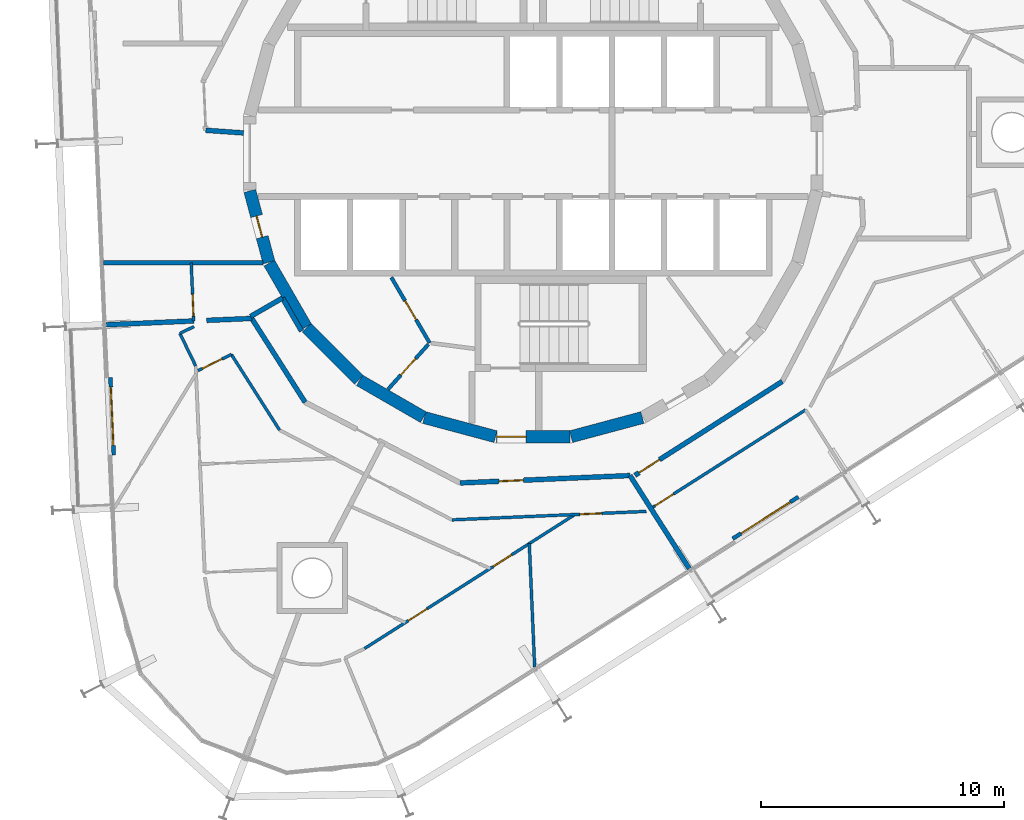
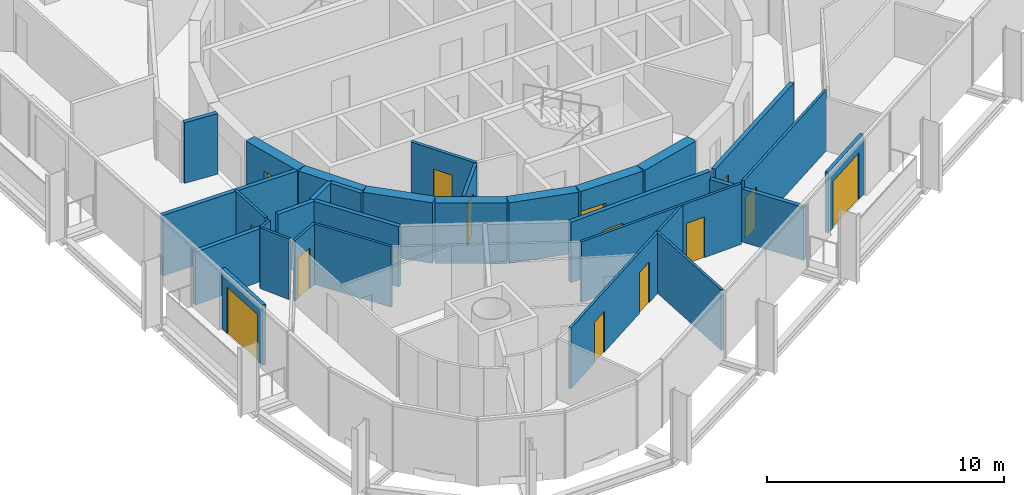
# One storey, part 12 of 18: 30 walls, 14 doors, 14 openings.
"""IFC4 building model written with IfcOpenShell, lengths in metres."""

import ifcopenshell
import ifcopenshell.guid

model = None  # the IFC model being written
_history = None  # IfcOwnerHistory: only IFC2X3 demands one
_inside = {}  # id of a spatial element -> (the spatial element, [elements in it])
_under = {}  # id of a project, library or spatial element -> (it, [spatial elements below it])
_declared = {}  # id of a project -> (the project, [libraries it declares])
_typed = {}  # id of a type object -> (the type object, [elements of that type])
_made_of = {}  # id of a material, layer set ... -> (it, [elements and type objects made of it])


def new_model(schema):
    """Start an empty IFC model of exactly this schema.

    Asked for "IFC4X3", IfcOpenShell would pick the latest addendum, in which some entities
    have other attributes; the version numbers below select the first issue.
    IFC2X3 requires an IfcOwnerHistory on every rooted entity: one is made here for all.
    """
    global model, _history
    if schema == "IFC4X3":
        model = ifcopenshell.file(schema_version=(4, 3, 0, 0))
    else:
        model = ifcopenshell.file(schema=schema)
    _inside.clear()
    _under.clear()
    _declared.clear()
    _typed.clear()
    _made_of.clear()
    _history = None
    if model.schema == "IFC2X3":
        org = make("IfcOrganization", Name="unknown")
        user = make(
            "IfcPersonAndOrganization",
            ThePerson=make("IfcPerson", FamilyName="unknown"),
            TheOrganization=org,
        )
        app = make(
            "IfcApplication",
            ApplicationDeveloper=org,
            Version="unknown",
            ApplicationFullName="unknown",
            ApplicationIdentifier="unknown",
        )
        _history = make(
            "IfcOwnerHistory",
            OwningUser=user,
            OwningApplication=app,
            ChangeAction="ADDED",
            CreationDate=0,
        )
    return model


def make(cls, **values):
    """One entity of the class cls with the attributes given. An attribute that is None is left unset."""
    return model.create_entity(
        cls, **{name: value for name, value in values.items() if value is not None}
    )


def rooted(cls, **values):
    """An entity with a GlobalId (a new one), such as an element, a storey or a relation."""
    return make(cls, GlobalId=ifcopenshell.guid.new(), OwnerHistory=_history, **values)


def si_unit(unit_type, name, prefix=None):
    """IfcSIUnit, for example si_unit("LENGTHUNIT", "METRE", prefix="MILLI")."""
    return make("IfcSIUnit", UnitType=unit_type, Prefix=prefix, Name=name)


def assignment(units):
    """IfcUnitAssignment: the units of a project."""
    return None if units is None else make("IfcUnitAssignment", Units=units)


def point(xyz):
    """IfcCartesianPoint."""
    return None if xyz is None else make("IfcCartesianPoint", Coordinates=xyz)


def direction(xyz):
    """IfcDirection."""
    return None if xyz is None else make("IfcDirection", DirectionRatios=xyz)


def frame(location, z_axis=None, x_axis=None):
    """IfcAxis2Placement3D, a coordinate frame: its origin and axes. An axis left out is left unset."""
    return make(
        "IfcAxis2Placement3D",
        Location=point(location),
        Axis=direction(z_axis),
        RefDirection=direction(x_axis),
    )


def frame_2d(location, x_axis=None):
    """IfcAxis2Placement2D, a coordinate frame in the plane: its origin and x axis."""
    return make(
        "IfcAxis2Placement2D", Location=point(location), RefDirection=direction(x_axis)
    )


def origin():
    """The frame at (0, 0, 0) with its axes left unset."""
    return frame((0.0, 0.0, 0.0))


def place(relative_to, where):
    """IfcLocalPlacement: puts the frame where relative to a parent placement (None: the world)."""
    return make(
        "IfcLocalPlacement", PlacementRelTo=relative_to, RelativePlacement=where
    )


def context(
    kind, dimensions, precision=None, world=None, true_north=None, identifier=None
):
    """IfcGeometricRepresentationContext, for example the 3D "Model" context."""
    return make(
        "IfcGeometricRepresentationContext",
        ContextIdentifier=identifier,
        ContextType=kind,
        CoordinateSpaceDimension=dimensions,
        Precision=precision,
        WorldCoordinateSystem=world,
        TrueNorth=true_north,
    )


def subcontext(parent, identifier, kind, view, scale=None):
    """IfcGeometricRepresentationSubContext, for example "Body" below "Model"."""
    return make(
        "IfcGeometricRepresentationSubContext",
        ContextIdentifier=identifier,
        ContextType=kind,
        ParentContext=parent,
        TargetScale=scale,
        TargetView=view,
    )


def project(units=None, contexts=None):
    """IfcProject with its units and contexts."""
    return rooted(
        "IfcProject",
        Name="project",
        RepresentationContexts=contexts,
        UnitsInContext=assignment(units),
    )


def spatial(cls, under=None, at=None, **own):
    """A site, building, storey or space (cls), placed at a placement, below another one or the project."""
    s = rooted(cls, ObjectPlacement=at, **own)
    if under is not None:
        _under.setdefault(under.id(), (under, []))[1].append(s)
    return s


def profile(cls, at=None, kind="AREA", **sizes):
    """A parametric profile (cls). Its sizes go by their IFC names, for example OverallWidth=200.0."""
    return make(cls, ProfileType=kind, Position=at, **sizes)


def rectangle(**sizes):
    """IfcRectangleProfileDef."""
    return profile("IfcRectangleProfileDef", **sizes)


def extrude(swept, where, along, depth):
    """IfcExtrudedAreaSolid: the profile swept, set in the frame where, extruded along a direction by depth."""
    return make(
        "IfcExtrudedAreaSolid",
        SweptArea=swept,
        Position=where,
        ExtrudedDirection=direction(along),
        Depth=depth,
    )


def shape(context_of_items, identifier, shape_type, items):
    """IfcShapeRepresentation: the items that make up one representation, for example the "Body"."""
    return make(
        "IfcShapeRepresentation",
        ContextOfItems=context_of_items,
        RepresentationIdentifier=identifier,
        RepresentationType=shape_type,
        Items=items,
    )


def material(Name=None, Category=None):
    """IfcMaterial."""
    return make("IfcMaterial", Name=Name, Category=Category)


def layer(
    of_material, thickness, ventilated=None, Name=None, Category=None, Priority=None
):
    """IfcMaterialLayer: one layer of a wall or slab, of a material (None: an air gap)."""
    return make(
        "IfcMaterialLayer",
        Material=of_material,
        LayerThickness=thickness,
        IsVentilated=ventilated,
        Name=Name,
        Category=Category,
        Priority=Priority,
    )


def layer_set(layers, Name=None):
    """IfcMaterialLayerSet."""
    return make("IfcMaterialLayerSet", MaterialLayers=layers, LayerSetName=Name)


def made_of(thing, what):
    """Note that an element or type object is made of a material, layer set ...; save() writes the relation."""
    if what is not None:
        _made_of.setdefault(what.id(), (what, []))[1].append(thing)
    return thing


def type_object(cls, material=None, **own):
    """A type object (cls), such as IfcWallType, which elements share."""
    return made_of(rooted(cls, **own), material)


def element(
    cls,
    number,
    at=None,
    inside=None,
    cuts=None,
    type_object=None,
    material=None,
    context=None,
    identifier="Body",
    shape_type=None,
    held_by="IfcProductDefinitionShape",
    body=None,
    shapes=None,
    **own,
):
    """One element of the class cls, such as IfcWall. Its Tag is "e" and its number.

    at: its placement. inside: the storey or other place that contains it. cuts: it is an
    opening in that element (IfcRelVoidsElement). A single representation is given by context,
    identifier, shape_type and body (its items); several are given by shapes. held_by: the class
    of the entity that holds the representations. save() writes the other relations.
    """
    e = rooted(cls, Tag="e%d" % number, ObjectPlacement=at, **own)
    if body is not None:
        shapes = [shape(context, identifier, shape_type, body)]
    if shapes is not None:
        e.Representation = make(held_by, Representations=shapes)
    if inside is not None:
        _inside.setdefault(inside.id(), (inside, []))[1].append(e)
    if cuts is not None:
        rooted(
            "IfcRelVoidsElement", RelatingBuildingElement=cuts, RelatedOpeningElement=e
        )
    if type_object is not None:
        _typed.setdefault(type_object.id(), (type_object, []))[1].append(e)
    return made_of(e, material)


def fill(opening, filler):
    """IfcRelFillsElement: the door or window that sits in an opening."""
    return rooted(
        "IfcRelFillsElement",
        RelatingOpeningElement=opening,
        RelatedBuildingElement=filler,
    )


def aggregate(whole, parts):
    """IfcRelAggregates: a whole, such as a stair, and the parts it consists of."""
    return rooted("IfcRelAggregates", RelatingObject=whole, RelatedObjects=parts)


def save(model, path):
    """Write the relations noted so far, then the file.

    IfcRelAggregates (storeys below a building ...), IfcRelContainedInSpatialStructure (elements
    in a storey), IfcRelDefinesByType, IfcRelAssociatesMaterial and IfcRelDeclares: one each for
    every whole, place, type object, material and project.
    """
    for whole, parts in _under.values():
        aggregate(whole, parts)
    for where, things in _inside.values():
        rooted(
            "IfcRelContainedInSpatialStructure",
            RelatedElements=things,
            RelatingStructure=where,
        )
    for kind, things in _typed.values():
        rooted("IfcRelDefinesByType", RelatedObjects=things, RelatingType=kind)
    for what, things in _made_of.values():
        rooted("IfcRelAssociatesMaterial", RelatedObjects=things, RelatingMaterial=what)
    for by, libraries in _declared.values():
        rooted("IfcRelDeclares", RelatingContext=by, RelatedDefinitions=libraries)
    model.write(path)


model = new_model("IFC4")

# Units and contexts
model_context = context("Model", 3, precision=1e-05, world=origin(), true_north=direction((0.0, 1.0)))
body_context = subcontext(model_context, "Body", "Model", "MODEL_VIEW")
ifc_project = project(units=[si_unit("LENGTHUNIT", "METRE"), si_unit("AREAUNIT", "SQUARE_METRE"), si_unit("VOLUMEUNIT", "CUBIC_METRE"), si_unit("PLANEANGLEUNIT", "RADIAN"), si_unit("MASSUNIT", "GRAM", prefix="KILO")], contexts=[model_context])

# Site, building, storey
site_placement = place(None, origin())
site = spatial("IfcSite", under=ifc_project, at=site_placement, CompositionType="ELEMENT")
building_placement = place(site_placement, origin())
building = spatial("IfcBuilding", under=site, at=building_placement, Name="Spindle Arch Residences", CompositionType="ELEMENT")
storey_placement = place(building_placement, frame((0.0, 0.0, 251.199951171875)))
storey = spatial("IfcBuildingStorey", under=building, at=storey_placement, Name="L64", CompositionType="ELEMENT", Elevation=251.199951171875)

# Wall
ifc_material_1 = material(Name="Concrete C50/60", Category="concrete")
ifc_layer_1 = layer(ifc_material_1, 0.5)
ifc_layer_set_1 = layer_set([ifc_layer_1], Name="Core outline wall 500")
wall_type_1 = type_object("IfcWallType", Name="Core outline wall 500", PredefinedType="SHEAR", material=ifc_layer_set_1)
wall_1_placement = place(storey_placement, frame((1.5498046875, -11.642822265625, 0.0), z_axis=(0.0, 0.0, 1.0), x_axis=(0.965948410781, 0.258734743916, 0.0)))
element("IfcWall", 1, at=wall_1_placement, inside=storey, type_object=wall_type_1, Name="Core outline wall 1", PredefinedType="SHEAR", context=body_context, shape_type="SweptSolid", body=[
    extrude(rectangle(XDim=3.03271484375, YDim=0.5, at=frame_2d((1.516357421875, 0.0))), origin(), (0.0, 0.0, 1.0), 3.1201171875),
])

# Wall, opening, door
wall_2_placement = place(storey_placement, frame((-11.642822265625, -1.5498046875, 0.0), z_axis=(0.0, 0.0, 1.0), x_axis=(0.258734743916, -0.965948410781, 0.0)))
wall_2 = element("IfcWall", 2, at=wall_2_placement, inside=storey, type_object=wall_type_1, Name="Core outline wall 19", PredefinedType="SHEAR", context=body_context, shape_type="SweptSolid", body=[
    extrude(rectangle(XDim=3.03271484375, YDim=0.5, at=frame_2d((1.516357421875, 0.0))), origin(), (0.0, 0.0, 1.0), 3.1201171875),
])
opening_1_placement = place(wall_2_placement, frame((1.06640625, 0.0, 0.0)))
opening_1 = element("IfcOpeningElement", 3, at=opening_1_placement, cuts=wall_2, Name="Opening R6C1-WD10", PredefinedType="OPENING", context=body_context, shape_type="SweptSolid", body=[
    extrude(rectangle(XDim=0.89990234375, YDim=2.10009765625, at=frame_2d((0.449951171875, 1.050048828125))), frame((0.0, 0.260009765625, 0.0), z_axis=(0.0, -1.0, 0.0), x_axis=(1.0, 0.0, 0.0)), (0.0, 0.0, 1.0), 0.52001953125),
])
ifc_material_2 = material(Name="Steel, fire-resisting door", Category="steel")
door_type_1 = type_object("IfcDoorType", Name="Service room door 900x2100", OperationType="SINGLE_SWING_LEFT", PredefinedType="DOOR", material=ifc_material_2)
door_1_placement = place(opening_1_placement, origin())
door_1 = element("IfcDoor", 4, at=door_1_placement, inside=storey, type_object=door_type_1, Name="Service room door R6C1-WD10", OperationType="SINGLE_SWING_RIGHT", OverallHeight=2.10009765625, OverallWidth=0.89990234375, PredefinedType="DOOR", context=body_context, shape_type="SweptSolid", body=[
    extrude(rectangle(XDim=0.89990234375, YDim=2.10009765625, at=frame_2d((0.449951171875, 1.050048828125))), frame((0.0, 0.02490234375, 0.0), z_axis=(0.0, -1.0, 0.0), x_axis=(1.0, 0.0, 0.0)), (0.0, 0.0, 1.0), 0.050048828125),
])
fill(opening_1, door_1)

# Walls
wall_3_placement = place(storey_placement, frame((-10.84521484375, -4.510498046875, 0.0), z_axis=(0.0, 0.0, 1.0), x_axis=(0.500087131594, -0.865975092491, 0.0)))
element("IfcWall", 5, at=wall_3_placement, inside=storey, type_object=wall_type_1, Name="Core outline wall 20", PredefinedType="SHEAR", context=body_context, shape_type="SweptSolid", body=[
    extrude(rectangle(XDim=3.03271484375, YDim=0.5, at=frame_2d((1.516357421875, 0.0))), origin(), (0.0, 0.0, 1.0), 3.1201171875),
])
wall_4_placement = place(storey_placement, frame((-9.30810546875, -7.163818359375, 0.0), z_axis=(0.0, 0.0, 1.0), x_axis=(0.707106781187, -0.707106781187, 0.0)))
element("IfcWall", 6, at=wall_4_placement, inside=storey, type_object=wall_type_1, Name="Core outline wall 21", PredefinedType="SHEAR", context=body_context, shape_type="SweptSolid", body=[
    extrude(rectangle(XDim=3.032470703125, YDim=0.5, at=frame_2d((1.51611328125, 0.0))), origin(), (0.0, 0.0, 1.0), 3.1201171875),
])
for number, where, z_axis, x_axis, name in (
    (7, (-7.13671875, -9.32861328125, 0.0), (0.0, 0.0, 1.0), (0.865975092491, -0.500087131594, 0.0), "Core outline wall 22"),
    (8, (-4.479248046875, -10.858154296875, 0.0), (0.0, 0.0, 1.0), (0.965948410781, -0.258734743916, 0.0), "Core outline wall 23"),
):
    element("IfcWall", number, at=place(storey_placement, frame(where, z_axis=z_axis, x_axis=x_axis)), inside=storey, type_object=wall_type_1, Name=name, PredefinedType="SHEAR", context=body_context, shape_type="SweptSolid", body=[
        extrude(rectangle(XDim=3.03271484375, YDim=0.5, at=frame_2d((1.516357421875, 0.0))), origin(), (0.0, 0.0, 1.0), 3.1201171875),
    ])

# Wall, opening, door
wall_5_placement = place(storey_placement, frame((-1.516357421875, -11.647216796875, 0.0), z_axis=(0.0, 0.0, 1.0), x_axis=(1.0, 0.0, 0.0)))
wall_5 = element("IfcWall", 9, at=wall_5_placement, inside=storey, type_object=wall_type_1, Name="Core outline wall 24", PredefinedType="SHEAR", context=body_context, shape_type="SweptSolid", body=[
    extrude(rectangle(XDim=3.03271484375, YDim=0.5, at=frame_2d((1.516357421875, 0.0))), origin(), (0.0, 0.0, 1.0), 3.1201171875),
])
opening_2_placement = place(wall_5_placement, frame((0.016357421875, 0.0, 0.0)))
opening_2 = element("IfcOpeningElement", 10, at=opening_2_placement, cuts=wall_5, Name="Opening R6C1-AD03", PredefinedType="OPENING", context=body_context, shape_type="SweptSolid", body=[
    extrude(rectangle(XDim=1.199951171875, YDim=2.10009765625, at=frame_2d((0.60009765625, 1.050048828125))), frame((0.0, 0.260009765625, 0.0), z_axis=(0.0, -1.0, 0.0), x_axis=(1.0, 0.0, 0.0)), (0.0, 0.0, 1.0), 0.52001953125),
])
ifc_material_3 = material(Name="Steel, fire-resisting door", Category="steel")
door_type_2 = type_object("IfcDoorType", Name="Stair airlock door 1200x2100", OperationType="SINGLE_SWING_LEFT", PredefinedType="DOOR", material=ifc_material_3)
door_2_placement = place(opening_2_placement, origin())
door_2 = element("IfcDoor", 11, at=door_2_placement, inside=storey, type_object=door_type_2, Name="Stair airlock door R6C1-AD03", OperationType="SINGLE_SWING_RIGHT", OverallHeight=2.10009765625, OverallWidth=1.199951171875, PredefinedType="DOOR", context=body_context, shape_type="SweptSolid", body=[
    extrude(rectangle(XDim=1.199951171875, YDim=2.10009765625, at=frame_2d((0.60009765625, 1.050048828125))), frame((0.0, 0.02490234375, 0.0), z_axis=(0.0, -1.0, 0.0), x_axis=(1.0, 0.0, 0.0)), (0.0, 0.0, 1.0), 0.050048828125),
])
fill(opening_2, door_2)

# Walls
ifc_material_4 = material(Name="Calcium silicate block, plastered")
ifc_layer_2 = layer(ifc_material_4, 0.199951171875)
ifc_layer_set_2 = layer_set([ifc_layer_2], Name="Corridor wall 200")
wall_type_2 = type_object("IfcWallType", Name="Corridor wall 200", PredefinedType="STANDARD", material=ifc_layer_set_2)
wall_6_placement = place(storey_placement, frame((-10.303466796875, -5.94873046875, 0.0), z_axis=(0.0, 0.0, 1.0), x_axis=(-0.866043382451, -0.499968858743, 0.0)))
element("IfcWall", 12, at=wall_6_placement, inside=storey, type_object=wall_type_2, Name="Corridor wall R6C1-W016", PredefinedType="STANDARD", context=body_context, shape_type="SweptSolid", body=[
    extrude(rectangle(XDim=1.51513671875, YDim=0.199951171875, at=frame_2d((0.757568359375, 0.0))), origin(), (0.0, 0.0, 1.0), 3.1201171875),
])
wall_7_placement = place(storey_placement, frame((-9.520263671875, -7.30517578125, 0.0), z_axis=(0.0, 0.0, 1.0), x_axis=(-0.500028278809, 0.866009076391, 0.0)))
element("IfcWall", 13, at=wall_7_placement, inside=storey, type_object=wall_type_2, Name="Corridor wall R6C1-W017", PredefinedType="STANDARD", context=body_context, shape_type="SweptSolid", body=[
    extrude(rectangle(XDim=1.56640625, YDim=0.199951171875, at=frame_2d((0.783203125, 0.0))), origin(), (0.0, 0.0, 1.0), 3.1201171875),
])
wall_8_placement = place(storey_placement, frame((-11.565185546875, -6.785888671875, 0.0), z_axis=(0.0, 0.0, 1.0), x_axis=(0.537297327359, -0.843392898958, 0.0)))
element("IfcWall", 14, at=wall_8_placement, inside=storey, type_object=wall_type_2, Name="Corridor wall R6C1-W018", PredefinedType="STANDARD", context=body_context, shape_type="SweptSolid", body=[
    extrude(rectangle(XDim=4.081298828125, YDim=0.199951171875, at=frame_2d((2.04052734375, 0.0))), origin(), (0.0, 0.0, 1.0), 3.1201171875),
])

# Wall, opening, door
wall_9_placement = place(storey_placement, frame((-3.002685546875, -13.5439453125, 0.0), z_axis=(0.0, 0.0, 1.0), x_axis=(0.999048221872, 0.043619380718, 0.0)))
wall_9 = element("IfcWall", 15, at=wall_9_placement, inside=storey, type_object=wall_type_2, Name="Corridor wall R6C1-W020", PredefinedType="STANDARD", context=body_context, shape_type="SweptSolid", body=[
    extrude(rectangle(XDim=6.9794921875, YDim=0.199951171875, at=frame_2d((3.48974609375, 0.0))), origin(), (0.0, 0.0, 1.0), 3.1201171875),
])
opening_3_placement = place(wall_9_placement, frame((1.60009765625, 0.0, 0.0)))
opening_3 = element("IfcOpeningElement", 16, at=opening_3_placement, cuts=wall_9, Name="Opening R6C1-FD05", PredefinedType="OPENING", context=body_context, shape_type="SweptSolid", body=[
    extrude(rectangle(XDim=1.0, YDim=2.10009765625, at=frame_2d((0.5, 1.050048828125))), frame((0.0, 0.10986328125, 0.0), z_axis=(0.0, -1.0, 0.0), x_axis=(1.0, 0.0, 0.0)), (0.0, 0.0, 1.0), 0.219970703125),
])
ifc_material_5 = material(Name="Timber, fire-resisting door set", Category="wood")
door_type_3 = type_object("IfcDoorType", Name="Flat entrance door 1000x2100", OperationType="NOTDEFINED", PredefinedType="DOOR", material=ifc_material_5)
door_3_placement = place(opening_3_placement, origin())
door_3 = element("IfcDoor", 17, at=door_3_placement, inside=storey, type_object=door_type_3, Name="Flat entrance door R6C1-FD05", OperationType="SINGLE_SWING_LEFT", OverallHeight=2.10009765625, OverallWidth=1.0, PredefinedType="DOOR", context=body_context, shape_type="SweptSolid", body=[
    extrude(rectangle(XDim=1.0, YDim=2.10009765625, at=frame_2d((0.5, 1.050048828125))), frame((0.0, 0.02490234375, 0.0), z_axis=(0.0, -1.0, 0.0), x_axis=(1.0, 0.0, 0.0)), (0.0, 0.0, 1.0), 0.050048828125),
])
fill(opening_3, door_3)

wall_10_placement = place(storey_placement, frame((4.171630859375, -13.230712890625, 0.0), z_axis=(0.0, 0.0, 1.0), x_axis=(0.843388394728, 0.537304397561, 0.0)))
wall_10 = element("IfcWall", 18, at=wall_10_placement, inside=storey, type_object=wall_type_2, Name="Corridor wall R6C1-W021", PredefinedType="STANDARD", context=body_context, shape_type="SweptSolid", body=[
    extrude(rectangle(XDim=7.180908203125, YDim=0.199951171875, at=frame_2d((3.59033203125, 0.0))), origin(), (0.0, 0.0, 1.0), 3.1201171875),
])
opening_4_placement = place(wall_10_placement, frame((0.199951171875, 0.0, 0.0)))
opening_4 = element("IfcOpeningElement", 19, at=opening_4_placement, cuts=wall_10, Name="Opening R6C1-FD06", PredefinedType="OPENING", context=body_context, shape_type="SweptSolid", body=[
    extrude(rectangle(XDim=1.0, YDim=2.10009765625, at=frame_2d((0.5, 1.050048828125))), frame((0.0, 0.10986328125, 0.0), z_axis=(0.0, -1.0, 0.0), x_axis=(1.0, 0.0, 0.0)), (0.0, 0.0, 1.0), 0.219970703125),
])
door_4_placement = place(opening_4_placement, origin())
door_4 = element("IfcDoor", 20, at=door_4_placement, inside=storey, type_object=door_type_3, Name="Flat entrance door R6C1-FD06", OperationType="SINGLE_SWING_LEFT", OverallHeight=2.10009765625, OverallWidth=1.0, PredefinedType="DOOR", context=body_context, shape_type="SweptSolid", body=[
    extrude(rectangle(XDim=1.0, YDim=2.10009765625, at=frame_2d((0.5, 1.050048828125))), frame((0.0, 0.02490234375, 0.0), z_axis=(0.0, -1.0, 0.0), x_axis=(1.0, 0.0, 0.0)), (0.0, 0.0, 1.0), 0.050048828125),
])
fill(opening_4, door_4)

ifc_material_6 = material(Name="Plasterboard on steel studs", Category="steel")
ifc_layer_3 = layer(ifc_material_6, 0.1201171875)
ifc_layer_set_3 = layer_set([ifc_layer_3], Name="Flat partition 120")
wall_type_3 = type_object("IfcWallType", Name="Flat partition 120", PredefinedType="PARTITIONING", material=ifc_layer_set_3)
wall_11_placement = place(storey_placement, frame((-13.947021484375, -6.889892578125, 0.0), z_axis=(0.0, 0.0, 1.0), x_axis=(-0.043680814195, 0.999045537737, 0.0)))
wall_11 = element("IfcWall", 21, at=wall_11_placement, inside=storey, type_object=wall_type_3, Name="Flat partition R6C1-W082", PredefinedType="PARTITIONING", context=body_context, shape_type="SweptSolid", body=[
    extrude(rectangle(XDim=2.39208984375, YDim=0.1201171875, at=frame_2d((1.196044921875, 0.0))), origin(), (0.0, 0.0, 1.0), 3.1201171875),
])
opening_5_placement = place(wall_11_placement, frame((0.199951171875, 0.0, 0.0)))
opening_5 = element("IfcOpeningElement", 22, at=opening_5_placement, cuts=wall_11, Name="Opening R6C1-ID14", PredefinedType="OPENING", context=body_context, shape_type="SweptSolid", body=[
    extrude(rectangle(XDim=0.89990234375, YDim=2.10009765625, at=frame_2d((0.449951171875, 1.050048828125))), frame((0.0, 0.070068359375, 0.0), z_axis=(0.0, -1.0, 0.0), x_axis=(1.0, 0.0, 0.0)), (0.0, 0.0, 1.0), 0.14013671875),
])
ifc_material_7 = material(Name="Timber door set", Category="wood")
door_type_4 = type_object("IfcDoorType", Name="Room door 900x2100", OperationType="NOTDEFINED", PredefinedType="DOOR", material=ifc_material_7)
door_5_placement = place(opening_5_placement, origin())
door_5 = element("IfcDoor", 23, at=door_5_placement, inside=storey, type_object=door_type_4, Name="Room door R6C1-ID14", OperationType="SINGLE_SWING_LEFT", OverallHeight=2.10009765625, OverallWidth=0.89990234375, PredefinedType="DOOR", context=body_context, shape_type="SweptSolid", body=[
    extrude(rectangle(XDim=0.89990234375, YDim=2.10009765625, at=frame_2d((0.449951171875, 1.050048828125))), frame((0.0, 0.02490234375, 0.0), z_axis=(0.0, -1.0, 0.0), x_axis=(1.0, 0.0, 0.0)), (0.0, 0.0, 1.0), 0.050048828125),
])
fill(opening_5, door_5)

# Walls
wall_12_placement = place(storey_placement, frame((-13.93701171875, -7.12060546875, 0.0), z_axis=(0.0, 0.0, 1.0), x_axis=(-0.899601864835, -0.436710985418, 0.0)))
element("IfcWall", 24, at=wall_12_placement, inside=storey, type_object=wall_type_3, Name="Flat partition R6C1-W083", PredefinedType="PARTITIONING", context=body_context, shape_type="SweptSolid", body=[
    extrude(rectangle(XDim=0.6435546875, YDim=0.1201171875, at=frame_2d((0.32177734375, 0.0))), origin(), (0.0, 0.0, 1.0), 3.1201171875),
])
wall_13_placement = place(storey_placement, frame((-14.515869140625, -7.401611328125, 0.0), z_axis=(0.0, 0.0, 1.0), x_axis=(0.436676244377, -0.899618729016, 0.0)))
element("IfcWall", 25, at=wall_13_placement, inside=storey, type_object=wall_type_3, Name="Flat partition R6C1-W084", PredefinedType="PARTITIONING", context=body_context, shape_type="SweptSolid", body=[
    extrude(rectangle(XDim=1.487060546875, YDim=0.1201171875, at=frame_2d((0.74365234375, 0.0))), origin(), (0.0, 0.0, 1.0), 3.1201171875),
])

# Wall, opening, door
wall_14_placement = place(storey_placement, frame((-13.7734375, -8.930908203125, 0.0), z_axis=(0.0, 0.0, 1.0), x_axis=(0.899585443678, 0.436744810527, 0.0)))
wall_14 = element("IfcWall", 26, at=wall_14_placement, inside=storey, type_object=wall_type_3, Name="Flat partition R6C1-W085", PredefinedType="PARTITIONING", context=body_context, shape_type="SweptSolid", body=[
    extrude(rectangle(XDim=1.52490234375, YDim=0.1201171875, at=frame_2d((0.762451171875, 0.0))), origin(), (0.0, 0.0, 1.0), 3.1201171875),
])
opening_6_placement = place(wall_14_placement, frame((0.199951171875, 0.0, 0.0)))
opening_6 = element("IfcOpeningElement", 27, at=opening_6_placement, cuts=wall_14, Name="Opening R6C1-ID15", PredefinedType="OPENING", context=body_context, shape_type="SweptSolid", body=[
    extrude(rectangle(XDim=0.89990234375, YDim=2.10009765625, at=frame_2d((0.449951171875, 1.050048828125))), frame((0.0, 0.070068359375, 0.0), z_axis=(0.0, -1.0, 0.0), x_axis=(1.0, 0.0, 0.0)), (0.0, 0.0, 1.0), 0.14013671875),
])
door_6_placement = place(opening_6_placement, origin())
door_6 = element("IfcDoor", 28, at=door_6_placement, inside=storey, type_object=door_type_4, Name="Room door R6C1-ID15", OperationType="SINGLE_SWING_LEFT", OverallHeight=2.10009765625, OverallWidth=0.89990234375, PredefinedType="DOOR", context=body_context, shape_type="SweptSolid", body=[
    extrude(rectangle(XDim=0.89990234375, YDim=2.10009765625, at=frame_2d((0.449951171875, 1.050048828125))), frame((0.0, 0.02490234375, 0.0), z_axis=(0.0, -1.0, 0.0), x_axis=(1.0, 0.0, 0.0)), (0.0, 0.0, 1.0), 0.050048828125),
])
fill(opening_6, door_6)

# Wall
wall_15_placement = place(storey_placement, frame((-12.401611328125, -8.264892578125, 0.0), z_axis=(0.0, 0.0, 1.0), x_axis=(0.537321213777, -0.843377681247, 0.0)))
element("IfcWall", 29, at=wall_15_placement, inside=storey, type_object=wall_type_3, Name="Flat partition R6C1-W086", PredefinedType="PARTITIONING", context=body_context, shape_type="SweptSolid", body=[
    extrude(rectangle(XDim=3.685302734375, YDim=0.1201171875, at=frame_2d((1.8427734375, 0.0))), origin(), (0.0, 0.0, 1.0), 3.1201171875),
])

# Wall, opening, door
wall_16_placement = place(storey_placement, frame((-3.338623046875, -15.06005859375, 0.0), z_axis=(0.0, 0.0, 1.0), x_axis=(0.999047716945, 0.043630943905, 0.0)))
wall_16 = element("IfcWall", 30, at=wall_16_placement, inside=storey, type_object=wall_type_3, Name="Flat partition R6C1-W097", PredefinedType="PARTITIONING", context=body_context, shape_type="SweptSolid", body=[
    extrude(rectangle(XDim=7.98486328125, YDim=0.1201171875, at=frame_2d((3.992431640625, 0.0))), origin(), (0.0, 0.0, 1.0), 3.1201171875),
])
opening_7_placement = place(wall_16_placement, frame((5.25341796875, 0.0, 0.0)))
opening_7 = element("IfcOpeningElement", 31, at=opening_7_placement, cuts=wall_16, Name="Opening R6C1-ID20", PredefinedType="OPENING", context=body_context, shape_type="SweptSolid", body=[
    extrude(rectangle(XDim=0.89990234375, YDim=2.10009765625, at=frame_2d((0.449951171875, 1.050048828125))), frame((0.0, 0.070068359375, 0.0), z_axis=(0.0, -1.0, 0.0), x_axis=(1.0, 0.0, 0.0)), (0.0, 0.0, 1.0), 0.14013671875),
])
door_7_placement = place(opening_7_placement, origin())
door_7 = element("IfcDoor", 32, at=door_7_placement, inside=storey, type_object=door_type_4, Name="Room door R6C1-ID20", OperationType="SINGLE_SWING_LEFT", OverallHeight=2.10009765625, OverallWidth=0.89990234375, PredefinedType="DOOR", context=body_context, shape_type="SweptSolid", body=[
    extrude(rectangle(XDim=0.89990234375, YDim=2.10009765625, at=frame_2d((0.449951171875, 1.050048828125))), frame((0.0, 0.02490234375, 0.0), z_axis=(0.0, -1.0, 0.0), x_axis=(1.0, 0.0, 0.0)), (0.0, 0.0, 1.0), 0.050048828125),
])
fill(opening_7, door_7)

# Wall, openings, doors
wall_17_placement = place(storey_placement, frame((-6.931640625, -20.344970703125, 0.0), z_axis=(0.0, 0.0, 1.0), x_axis=(0.843388627156, 0.537304032726, 0.0)))
wall_17 = element("IfcWall", 33, at=wall_17_placement, inside=storey, type_object=wall_type_3, Name="Flat partition R6C1-W103", PredefinedType="PARTITIONING", context=body_context, shape_type="SweptSolid", body=[
    extrude(rectangle(XDim=10.246337890625, YDim=0.1201171875, at=frame_2d((5.123046875, 0.0))), origin(), (0.0, 0.0, 1.0), 3.1201171875),
])
opening_8_placement = place(wall_17_placement, frame((2.138427734375, 0.0, 0.0)))
opening_8 = element("IfcOpeningElement", 34, at=opening_8_placement, cuts=wall_17, Name="Opening R6C1-ID22", PredefinedType="OPENING", context=body_context, shape_type="SweptSolid", body=[
    extrude(rectangle(XDim=0.89990234375, YDim=2.10009765625, at=frame_2d((0.449951171875, 1.050048828125))), frame((0.0, 0.070068359375, 0.0), z_axis=(0.0, -1.0, 0.0), x_axis=(1.0, 0.0, 0.0)), (0.0, 0.0, 1.0), 0.14013671875),
])
opening_9_placement = place(wall_17_placement, frame((6.268310546875, 0.0, 0.0)))
opening_9 = element("IfcOpeningElement", 35, at=opening_9_placement, cuts=wall_17, Name="Opening R6C1-ID24", PredefinedType="OPENING", context=body_context, shape_type="SweptSolid", body=[
    extrude(rectangle(XDim=0.89990234375, YDim=2.10009765625, at=frame_2d((0.449951171875, 1.050048828125))), frame((0.0, 0.070068359375, 0.0), z_axis=(0.0, -1.0, 0.0), x_axis=(1.0, 0.0, 0.0)), (0.0, 0.0, 1.0), 0.14013671875),
])
door_8_placement = place(opening_8_placement, origin())
door_8 = element("IfcDoor", 36, at=door_8_placement, inside=storey, type_object=door_type_4, Name="Room door R6C1-ID22", OperationType="SINGLE_SWING_LEFT", OverallHeight=2.10009765625, OverallWidth=0.89990234375, PredefinedType="DOOR", context=body_context, shape_type="SweptSolid", body=[
    extrude(rectangle(XDim=0.89990234375, YDim=2.10009765625, at=frame_2d((0.449951171875, 1.050048828125))), frame((0.0, 0.02490234375, 0.0), z_axis=(0.0, -1.0, 0.0), x_axis=(1.0, 0.0, 0.0)), (0.0, 0.0, 1.0), 0.050048828125),
])
fill(opening_8, door_8)
door_9_placement = place(opening_9_placement, origin())
door_9 = element("IfcDoor", 37, at=door_9_placement, inside=storey, type_object=door_type_4, Name="Room door R6C1-ID24", OperationType="SINGLE_SWING_RIGHT", OverallHeight=2.10009765625, OverallWidth=0.89990234375, PredefinedType="DOOR", context=body_context, shape_type="SweptSolid", body=[
    extrude(rectangle(XDim=0.89990234375, YDim=2.10009765625, at=frame_2d((0.449951171875, 1.050048828125))), frame((0.0, 0.02490234375, 0.0), z_axis=(0.0, -1.0, 0.0), x_axis=(1.0, 0.0, 0.0)), (0.0, 0.0, 1.0), 0.050048828125),
])
fill(opening_9, door_9)

# Wall
wall_18_placement = place(storey_placement, frame((0.05615234375, -21.110107421875, 0.0), z_axis=(0.0, 0.0, 1.0), x_axis=(-0.043583193193, 0.999049801197, 0.0)))
element("IfcWall", 38, at=wall_18_placement, inside=storey, type_object=wall_type_3, Name="Flat partition R6C1-W106", PredefinedType="PARTITIONING", context=body_context, shape_type="SweptSolid", body=[
    extrude(rectangle(XDim=5.080810546875, YDim=0.1201171875, at=frame_2d((2.54052734375, 0.0))), origin(), (0.0, 0.0, 1.0), 3.1201171875),
])

# Wall, opening, door
wall_19_placement = place(storey_placement, frame((4.830322265625, -14.589599609375, 0.0), z_axis=(0.0, 0.0, 1.0), x_axis=(0.843393042763, 0.537297101629, 0.0)))
wall_19 = element("IfcWall", 39, at=wall_19_placement, inside=storey, type_object=wall_type_3, Name="Flat partition R6C1-W107", PredefinedType="PARTITIONING", context=body_context, shape_type="SweptSolid", body=[
    extrude(rectangle(XDim=7.530029296875, YDim=0.1201171875, at=frame_2d((3.76513671875, 0.0))), origin(), (0.0, 0.0, 1.0), 3.1201171875),
])
opening_10_placement = place(wall_19_placement, frame((0.199951171875, 0.0, 0.0)))
opening_10 = element("IfcOpeningElement", 40, at=opening_10_placement, cuts=wall_19, Name="Opening R6C1-ID25", PredefinedType="OPENING", context=body_context, shape_type="SweptSolid", body=[
    extrude(rectangle(XDim=0.89990234375, YDim=2.10009765625, at=frame_2d((0.449951171875, 1.050048828125))), frame((0.0, 0.070068359375, 0.0), z_axis=(0.0, -1.0, 0.0), x_axis=(1.0, 0.0, 0.0)), (0.0, 0.0, 1.0), 0.14013671875),
])
door_10_placement = place(opening_10_placement, origin())
door_10 = element("IfcDoor", 41, at=door_10_placement, inside=storey, type_object=door_type_4, Name="Room door R6C1-ID25", OperationType="SINGLE_SWING_LEFT", OverallHeight=2.10009765625, OverallWidth=0.89990234375, PredefinedType="DOOR", context=body_context, shape_type="SweptSolid", body=[
    extrude(rectangle(XDim=0.89990234375, YDim=2.10009765625, at=frame_2d((0.449951171875, 1.050048828125))), frame((0.0, 0.02490234375, 0.0), z_axis=(0.0, -1.0, 0.0), x_axis=(1.0, 0.0, 0.0)), (0.0, 0.0, 1.0), 0.050048828125),
])
fill(opening_10, door_10)

# Walls
ifc_material_8 = material(Name="Calcium silicate block, plastered")
ifc_layer_4 = layer(ifc_material_8, 0.199951171875)
ifc_layer_set_4 = layer_set([ifc_layer_4], Name="Flat party wall 200")
wall_type_4 = type_object("IfcWallType", Name="Flat party wall 200", PredefinedType="STANDARD", material=ifc_layer_set_4)
wall_20_placement = place(storey_placement, frame((-13.414306640625, -6.86669921875, 0.0), z_axis=(0.0, 0.0, 1.0), x_axis=(0.999046427216, 0.043660465726, 0.0)))
element("IfcWall", 42, at=wall_20_placement, inside=storey, type_object=wall_type_4, Name="Flat party wall R6C1-W035", PredefinedType="STANDARD", context=body_context, shape_type="SweptSolid", body=[
    extrude(rectangle(XDim=1.850830078125, YDim=0.199951171875, at=frame_2d((0.92529296875, 0.0))), origin(), (0.0, 0.0, 1.0), 3.1201171875),
])
ifc_material_9 = material(Name="Calcium silicate block, plastered")
ifc_layer_5 = layer(ifc_material_9, 0.199951171875)
ifc_layer_set_5 = layer_set([ifc_layer_5], Name="Flat party wall 200 under beam 2730")
wall_type_5 = type_object("IfcWallType", Name="Flat party wall 200 under beam 2730", PredefinedType="STANDARD", material=ifc_layer_set_5)
wall_21_placement = place(storey_placement, frame((-17.543701171875, -7.047119140625, 0.0), z_axis=(0.0, 0.0, 1.0), x_axis=(0.999045894436, 0.043672655174, 0.0)))
element("IfcWall", 43, at=wall_21_placement, inside=storey, type_object=wall_type_5, Name="Flat party wall R6C1-W034", PredefinedType="STANDARD", context=body_context, shape_type="SweptSolid", body=[
    extrude(rectangle(XDim=3.60009765625, YDim=0.199951171875, at=frame_2d((1.800048828125, 0.0))), origin(), (0.0, 0.0, 1.0), 2.72998046875),
])
wall_22_placement = place(storey_placement, frame((6.406982421875, -17.064208984375, 0.0), z_axis=(0.0, 0.0, 1.0), x_axis=(-0.537324777979, 0.843375410461, 0.0)))
element("IfcWall", 44, at=wall_22_placement, inside=storey, type_object=wall_type_5, Name="Flat party wall R6C1-W040", PredefinedType="STANDARD", context=body_context, shape_type="SweptSolid", body=[
    extrude(rectangle(XDim=4.534912109375, YDim=0.199951171875, at=frame_2d((2.267578125, 0.0))), origin(), (0.0, 0.0, 1.0), 2.72998046875),
])

# Wall, opening, door
ifc_material_10 = material(Name="Non-combustible mineral wool insulated aluminium faced external wall (K0)", Category="aluminium")
ifc_layer_6 = layer(ifc_material_10, 0.159912109375)
ifc_layer_set_6 = layer_set([ifc_layer_6], Name="Insulated external wall panel 160")
wall_type_6 = type_object("IfcWallType", Name="Insulated external wall panel 160", PredefinedType="STANDARD", material=ifc_layer_set_6)
wall_23_placement = place(storey_placement, frame((-17.369384765625, -9.20654296875, 0.0), z_axis=(0.0, 0.0, 1.0), x_axis=(0.043639181999, -0.999047357133, 0.0)))
wall_23 = element("IfcWall", 45, at=wall_23_placement, inside=storey, type_object=wall_type_6, Name="External wall L64 bay 16", PredefinedType="STANDARD", context=body_context, shape_type="SweptSolid", body=[
    extrude(rectangle(XDim=3.199951171875, YDim=0.159912109375, at=frame_2d((1.60009765625, 0.0))), origin(), (0.0, 0.0, 1.0), 3.1201171875),
])
opening_11_placement = place(wall_23_placement, frame((0.39990234375, 0.0, 0.0)))
opening_11 = element("IfcOpeningElement", 46, at=opening_11_placement, cuts=wall_23, Name="Opening BD16", PredefinedType="OPENING", context=body_context, shape_type="SweptSolid", body=[
    extrude(rectangle(XDim=2.39990234375, YDim=2.39990234375, at=frame_2d((1.199951171875, 1.199951171875))), frame((0.0, 0.08984375, 0.0), z_axis=(0.0, -1.0, 0.0), x_axis=(1.0, 0.0, 0.0)), (0.0, 0.0, 1.0), 0.179931640625),
])
ifc_material_11 = material(Name="Bronze aluminium frame, tinted double glazing", Category="aluminium")
door_type_5 = type_object("IfcDoorType", Name="Sliding glazed balcony door 2400x2400", OperationType="DOUBLE_DOOR_SLIDING", PredefinedType="DOOR", material=ifc_material_11)
door_11_placement = place(opening_11_placement, origin())
door_11 = element("IfcDoor", 47, at=door_11_placement, inside=storey, type_object=door_type_5, Name="Balcony door BD16", OperationType="DOUBLE_DOOR_SLIDING", OverallHeight=2.39990234375, OverallWidth=2.39990234375, PredefinedType="DOOR", context=body_context, shape_type="SweptSolid", body=[
    extrude(rectangle(XDim=2.39990234375, YDim=2.39990234375, at=frame_2d((1.199951171875, 1.199951171875))), frame((0.0, 0.02490234375, 0.0), z_axis=(0.0, -1.0, 0.0), x_axis=(1.0, 0.0, 0.0)), (0.0, 0.0, 1.0), 0.050048828125),
])
fill(opening_11, door_11)

wall_24_placement = place(storey_placement, frame((8.18994140625, -15.83349609375, 0.0), z_axis=(0.0, 0.0, 1.0), x_axis=(0.843419508298, 0.53725555653, 0.0)))
wall_24 = element("IfcWall", 48, at=wall_24_placement, inside=storey, type_object=wall_type_6, Name="External wall L64 bay 22", PredefinedType="STANDARD", context=body_context, shape_type="SweptSolid", body=[
    extrude(rectangle(XDim=3.199951171875, YDim=0.159912109375, at=frame_2d((1.60009765625, 0.0))), origin(), (0.0, 0.0, 1.0), 3.1201171875),
])
opening_12_placement = place(wall_24_placement, frame((0.39990234375, 0.0, 0.0)))
opening_12 = element("IfcOpeningElement", 49, at=opening_12_placement, cuts=wall_24, Name="Opening BD22", PredefinedType="OPENING", context=body_context, shape_type="SweptSolid", body=[
    extrude(rectangle(XDim=2.39990234375, YDim=2.39990234375, at=frame_2d((1.199951171875, 1.199951171875))), frame((0.0, 0.08984375, 0.0), z_axis=(0.0, -1.0, 0.0), x_axis=(1.0, 0.0, 0.0)), (0.0, 0.0, 1.0), 0.179931640625),
])
door_12_placement = place(opening_12_placement, origin())
door_12 = element("IfcDoor", 50, at=door_12_placement, inside=storey, type_object=door_type_5, Name="Balcony door BD22", OperationType="DOUBLE_DOOR_SLIDING", OverallHeight=2.39990234375, OverallWidth=2.39990234375, PredefinedType="DOOR", context=body_context, shape_type="SweptSolid", body=[
    extrude(rectangle(XDim=2.39990234375, YDim=2.39990234375, at=frame_2d((1.199951171875, 1.199951171875))), frame((0.0, 0.02490234375, 0.0), z_axis=(0.0, -1.0, 0.0), x_axis=(1.0, 0.0, 0.0)), (0.0, 0.0, 1.0), 0.050048828125),
])
fill(opening_12, door_12)

# Walls
ifc_material_12 = material(Name="Calcium silicate block, plastered")
ifc_layer_7 = layer(ifc_material_12, 0.199951171875)
ifc_layer_set_7 = layer_set([ifc_layer_7], Name="Lift lobby bay wall 200")
wall_type_7 = type_object("IfcWallType", Name="Lift lobby bay wall 200", PredefinedType="STANDARD", material=ifc_layer_set_7)
wall_25_placement = place(storey_placement, frame((-13.453857421875, 0.94091796875, 0.0), z_axis=(0.0, 0.0, 1.0), x_axis=(0.99755155062, -0.069934997354, 0.0)))
element("IfcWall", 51, at=wall_25_placement, inside=storey, type_object=wall_type_7, Name="Lift lobby bay wall R6C1-W009", PredefinedType="STANDARD", context=body_context, shape_type="SweptSolid", body=[
    extrude(rectangle(XDim=1.560546875, YDim=0.199951171875, at=frame_2d((0.7802734375, 0.0))), origin(), (0.0, 0.0, 1.0), 3.1201171875),
])
wall_26_placement = place(storey_placement, frame((-17.65478515625, -4.5, 0.0), z_axis=(0.0, 0.0, 1.0), x_axis=(1.0, 0.0, 0.0)))
element("IfcWall", 52, at=wall_26_placement, inside=storey, type_object=wall_type_7, Name="Lift lobby bay wall R6C1-W023", PredefinedType="STANDARD", context=body_context, shape_type="SweptSolid", body=[
    extrude(rectangle(XDim=6.54345703125, YDim=0.199951171875, at=frame_2d((3.271728515625, 0.0))), origin(), (0.0, 0.0, 1.0), 3.1201171875),
])

# Wall, opening, door
ifc_material_13 = material(Name="Concrete C25/30", Category="concrete")
ifc_layer_8 = layer(ifc_material_13, 0.14990234375)
ifc_layer_set_8 = layer_set([ifc_layer_8], Name="Service room partition 150")
wall_type_8 = type_object("IfcWallType", Name="Service room partition 150", PredefinedType="PARTITIONING", material=ifc_layer_set_8)
wall_27_placement = place(storey_placement, frame((-5.8291015625, -5.101806640625, 0.0), z_axis=(0.0, 0.0, 1.0), x_axis=(0.504480008384, -0.863423373057, 0.0)))
wall_27 = element("IfcWall", 53, at=wall_27_placement, inside=storey, type_object=wall_type_8, Name="Core service room partition", PredefinedType="PARTITIONING", context=body_context, shape_type="SweptSolid", body=[
    extrude(rectangle(XDim=3.115234375, YDim=0.14990234375, at=frame_2d((1.5576171875, 0.0))), origin(), (0.0, 0.0, 1.0), 3.1201171875),
])
opening_13_placement = place(wall_27_placement, frame((1.107421875, 0.0, 0.0)))
opening_13 = element("IfcOpeningElement", 54, at=opening_13_placement, cuts=wall_27, Name="Opening R6C1-WD07", PredefinedType="OPENING", context=body_context, shape_type="SweptSolid", body=[
    extrude(rectangle(XDim=0.89990234375, YDim=2.10009765625, at=frame_2d((0.449951171875, 1.050048828125))), frame((0.0, 0.0849609375, 0.0), z_axis=(0.0, -1.0, 0.0), x_axis=(1.0, 0.0, 0.0)), (0.0, 0.0, 1.0), 0.169921875),
])
door_13_placement = place(opening_13_placement, origin())
door_13 = element("IfcDoor", 55, at=door_13_placement, inside=storey, type_object=door_type_1, Name="Service room door R6C1-WD07", OperationType="SINGLE_SWING_LEFT", OverallHeight=2.10009765625, OverallWidth=0.89990234375, PredefinedType="DOOR", context=body_context, shape_type="SweptSolid", body=[
    extrude(rectangle(XDim=0.89990234375, YDim=2.10009765625, at=frame_2d((0.449951171875, 1.050048828125))), frame((0.0, 0.02490234375, 0.0), z_axis=(0.0, -1.0, 0.0), x_axis=(1.0, 0.0, 0.0)), (0.0, 0.0, 1.0), 0.050048828125),
])
fill(opening_13, door_13)

wall_28_placement = place(storey_placement, frame((-4.310791015625, -7.85107421875, 0.0), z_axis=(0.0, 0.0, 1.0), x_axis=(-0.667869133096, -0.744278725383, 0.0)))
wall_28 = element("IfcWall", 56, at=wall_28_placement, inside=storey, type_object=wall_type_8, Name="Core service room partition", PredefinedType="PARTITIONING", context=body_context, shape_type="SweptSolid", body=[
    extrude(rectangle(XDim=2.476318359375, YDim=0.14990234375, at=frame_2d((1.23828125, 0.0))), origin(), (0.0, 0.0, 1.0), 3.1201171875),
])
opening_14_placement = place(wall_28_placement, frame((0.7880859375, 0.0, 0.0)))
opening_14 = element("IfcOpeningElement", 57, at=opening_14_placement, cuts=wall_28, Name="Opening R6C1-WD06", PredefinedType="OPENING", context=body_context, shape_type="SweptSolid", body=[
    extrude(rectangle(XDim=0.89990234375, YDim=2.10009765625, at=frame_2d((0.449951171875, 1.050048828125))), frame((0.0, 0.0849609375, 0.0), z_axis=(0.0, -1.0, 0.0), x_axis=(1.0, 0.0, 0.0)), (0.0, 0.0, 1.0), 0.169921875),
])
door_14_placement = place(opening_14_placement, origin())
door_14 = element("IfcDoor", 58, at=door_14_placement, inside=storey, type_object=door_type_1, Name="Service room door R6C1-WD06", OperationType="SINGLE_SWING_RIGHT", OverallHeight=2.10009765625, OverallWidth=0.89990234375, PredefinedType="DOOR", context=body_context, shape_type="SweptSolid", body=[
    extrude(rectangle(XDim=0.89990234375, YDim=2.10009765625, at=frame_2d((0.449951171875, 1.050048828125))), frame((0.0, 0.02490234375, 0.0), z_axis=(0.0, -1.0, 0.0), x_axis=(1.0, 0.0, 0.0)), (0.0, 0.0, 1.0), 0.050048828125),
])
fill(opening_14, door_14)

save(model, "model.ifc")
